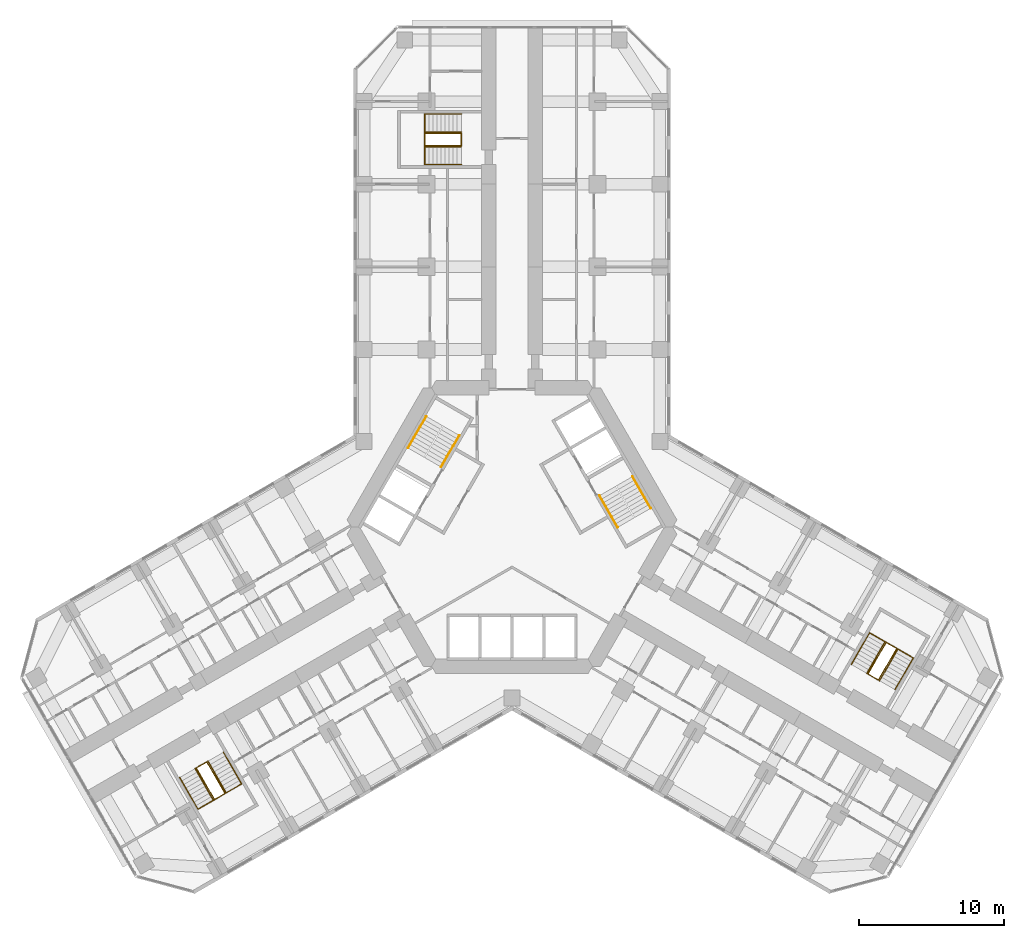
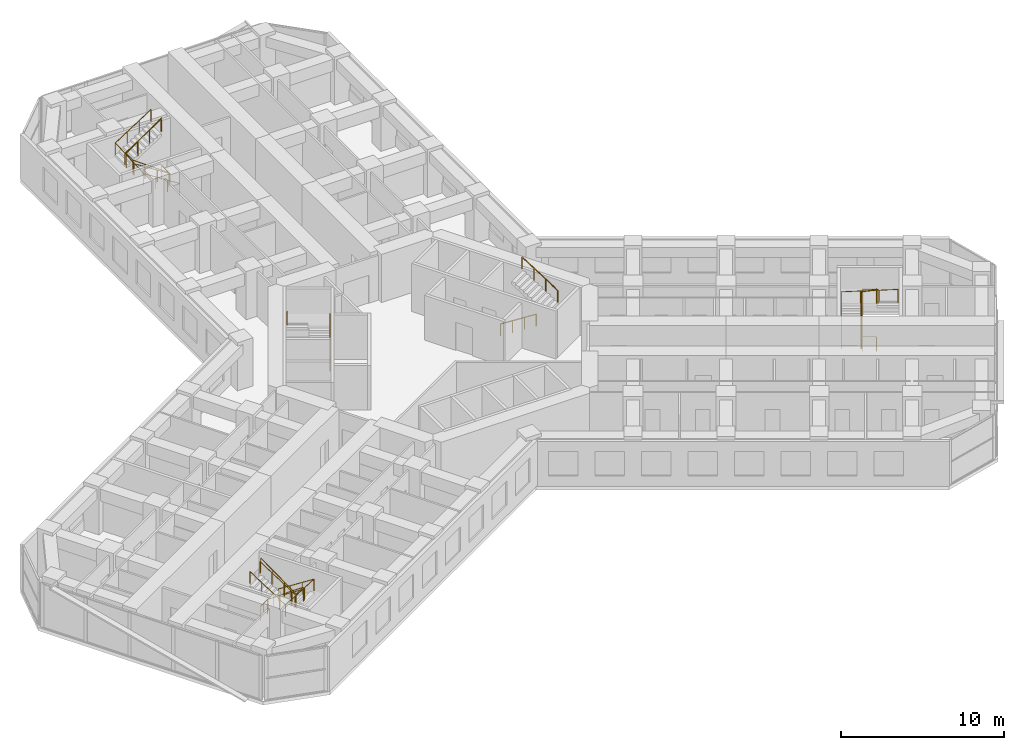
# One storey, part 18 of 18: 13 railings.
"""IFC4 building model written with IfcOpenShell, lengths in metres."""

from ifc_helpers import new_model, si_unit, direction, frame, origin, origin_2d, place, context, subcontext, project, spatial, circle, extrude, material, type_object, element, save


model = new_model("IFC4")

# Units and contexts
model_context = context("Model", 3, precision=1e-05, world=origin(), true_north=direction((0.0, 1.0)))
body_context = subcontext(model_context, "Body", "Model", "MODEL_VIEW")
ifc_project = project(units=[si_unit("LENGTHUNIT", "METRE"), si_unit("AREAUNIT", "SQUARE_METRE"), si_unit("VOLUMEUNIT", "CUBIC_METRE"), si_unit("PLANEANGLEUNIT", "RADIAN"), si_unit("MASSUNIT", "GRAM", prefix="KILO")], contexts=[model_context])

# Site, building, storey
site_placement = place(None, origin())
site = spatial("IfcSite", under=ifc_project, at=site_placement, CompositionType="ELEMENT")
building_placement = place(site_placement, origin())
building = spatial("IfcBuilding", under=site, at=building_placement, Name="Kosmar Iwan School Tower", CompositionType="ELEMENT")
storey_placement = place(building_placement, frame((0.0, 0.0, 25.199951171875)))
storey = spatial("IfcBuildingStorey", under=building, at=storey_placement, Name="L05", CompositionType="ELEMENT", Elevation=25.199951171875)

# Railings
ifc_material_1 = material(Name="Black steel", Category="steel")
railing_type_1 = type_object("IfcRailingType", Name="Stair handrail 900", PredefinedType="HANDRAIL", material=ifc_material_1)
railing_1_placement = place(storey_placement, frame((-4.89453125, 4.142333984375, 0.179931640625)))
element("IfcRailing", 1, at=railing_1_placement, inside=storey, type_object=railing_type_1, Name="Handrail ST2 flight 1", PredefinedType="HANDRAIL", context=body_context, shape_type="SweptSolid", body=[
    extrude(circle(Radius=0.02392578125, at=origin_2d()), frame((0.0, 0.0, 0.8759765625), z_axis=(0.420584145978, 0.728463801763, 0.540785970299), x_axis=(-0.866022637375, 0.500004791531, 0.0)), (0.0, 0.0, 1.0), 2.995849609375),
    extrude(circle(Radius=0.02099609375, at=origin_2d()), origin(), (0.0, 0.0, 1.0), 0.851806640625),
    extrude(circle(Radius=0.02099609375, at=origin_2d()), frame((0.419921875, 0.7275390625, 0.5400390625)), (0.0, 0.0, 1.0), 0.851806640625),
    extrude(circle(Radius=0.02099609375, at=origin_2d()), frame((0.840087890625, 1.454833984375, 1.080078125)), (0.0, 0.0, 1.0), 0.851806640625),
    extrude(circle(Radius=0.02099609375, at=origin_2d()), frame((1.260009765625, 2.182373046875, 1.6201171875)), (0.0, 0.0, 1.0), 0.851806640625),
])
railing_2_placement = place(storey_placement, frame((-5.912353515625, 7.6396484375, 1.97998046875)))
element("IfcRailing", 2, at=railing_2_placement, inside=storey, type_object=railing_type_1, Name="Handrail ST2 flight 2", PredefinedType="HANDRAIL", context=body_context, shape_type="SweptSolid", body=[
    extrude(circle(Radius=0.02392578125, at=origin_2d()), frame((0.0, 0.0, 0.8759765625), z_axis=(-0.420584145978, -0.728463801763, 0.540785970299), x_axis=(0.866022637375, -0.500004791531, 0.0)), (0.0, 0.0, 1.0), 2.995849609375),
    extrude(circle(Radius=0.02099609375, at=origin_2d()), origin(), (0.0, 0.0, 1.0), 0.851806640625),
    extrude(circle(Radius=0.02099609375, at=origin_2d()), frame((-0.419921875, -0.7275390625, 0.5400390625)), (0.0, 0.0, 1.0), 0.851806640625),
    extrude(circle(Radius=0.02099609375, at=origin_2d()), frame((-0.840087890625, -1.454833984375, 1.080078125)), (0.0, 0.0, 1.0), 0.851806640625),
    extrude(circle(Radius=0.02099609375, at=origin_2d()), frame((-1.260009765625, -2.182373046875, 1.6201171875)), (0.0, 0.0, 1.0), 0.851806640625),
])
railing_3_placement = place(storey_placement, frame((6.03466796875, 2.167724609375, 0.179931640625)))
element("IfcRailing", 3, at=railing_3_placement, inside=storey, type_object=railing_type_1, Name="Handrail ST1 flight 1", PredefinedType="HANDRAIL", context=body_context, shape_type="SweptSolid", body=[
    extrude(circle(Radius=0.02392578125, at=origin_2d()), frame((0.0, 0.0, 0.8759765625), z_axis=(0.420584145978, -0.728463801763, 0.540785970299), x_axis=(0.866022637375, 0.500004791531, 0.0)), (0.0, 0.0, 1.0), 2.995849609375),
    extrude(circle(Radius=0.02099609375, at=origin_2d()), origin(), (0.0, 0.0, 1.0), 0.851806640625),
    extrude(circle(Radius=0.02099609375, at=origin_2d()), frame((0.419921875, -0.7275390625, 0.5400390625)), (0.0, 0.0, 1.0), 0.851806640625),
    extrude(circle(Radius=0.02099609375, at=origin_2d()), frame((0.840087890625, -1.454833984375, 1.080078125)), (0.0, 0.0, 1.0), 0.851806640625),
    extrude(circle(Radius=0.02099609375, at=origin_2d()), frame((1.260009765625, -2.182373046875, 1.6201171875)), (0.0, 0.0, 1.0), 0.851806640625),
])
railing_4_placement = place(storey_placement, frame((9.572265625, 1.30029296875, 1.97998046875)))
element("IfcRailing", 4, at=railing_4_placement, inside=storey, type_object=railing_type_1, Name="Handrail ST1 flight 2", PredefinedType="HANDRAIL", context=body_context, shape_type="SweptSolid", body=[
    extrude(circle(Radius=0.02392578125, at=origin_2d()), frame((0.0, 0.0, 0.8759765625), z_axis=(-0.420584145978, 0.728463801763, 0.540785970299), x_axis=(-0.866022637375, -0.500004791531, 0.0)), (0.0, 0.0, 1.0), 2.995849609375),
    extrude(circle(Radius=0.02099609375, at=origin_2d()), origin(), (0.0, 0.0, 1.0), 0.851806640625),
    extrude(circle(Radius=0.02099609375, at=origin_2d()), frame((-0.419921875, 0.7275390625, 0.5400390625)), (0.0, 0.0, 1.0), 0.851806640625),
    extrude(circle(Radius=0.02099609375, at=origin_2d()), frame((-0.840087890625, 1.454833984375, 1.080078125)), (0.0, 0.0, 1.0), 0.851806640625),
    extrude(circle(Radius=0.02099609375, at=origin_2d()), frame((-1.260009765625, 2.182373046875, 1.6201171875)), (0.0, 0.0, 1.0), 0.851806640625),
])
railing_5_placement = place(storey_placement, frame((-3.5, 25.010009765625, 0.179931640625)))
element("IfcRailing", 5, at=railing_5_placement, inside=storey, type_object=railing_type_1, Name="Handrail stair WS1 L05 wall side", PredefinedType="HANDRAIL", context=body_context, shape_type="SweptSolid", body=[
    extrude(circle(Radius=0.02392578125, at=origin_2d()), frame((0.0, 0.0, 0.8759765625), z_axis=(-0.841162588446, 0.0, 0.540782303519), x_axis=(0.0, -1.0, 0.0)), (0.0, 0.0, 1.0), 2.995849609375),
    extrude(circle(Radius=0.02392578125, at=origin_2d()), frame((-2.52001953125, 0.0, 2.49609375), z_axis=(0.0, 0.998665981786, 0.051635809497), x_axis=(-1.0, 0.0, 0.0)), (0.0, 0.0, 1.0), 3.484619140625),
    extrude(circle(Radius=0.02392578125, at=origin_2d()), frame((-2.52001953125, 3.47998046875, 2.67578125), z_axis=(0.841162588446, 0.0, 0.540782303519), x_axis=(0.0, 1.0, 0.0)), (0.0, 0.0, 1.0), 2.995849609375),
    extrude(circle(Radius=0.02099609375, at=origin_2d()), origin(), (0.0, 0.0, 1.0), 0.851806640625),
    extrude(circle(Radius=0.02099609375, at=origin_2d()), frame((-0.840087890625, 0.0, 0.5400390625)), (0.0, 0.0, 1.0), 0.851806640625),
    extrude(circle(Radius=0.02099609375, at=origin_2d()), frame((-1.679931640625, 0.0, 1.080078125)), (0.0, 0.0, 1.0), 0.851806640625),
    extrude(circle(Radius=0.02099609375, at=origin_2d()), frame((-2.52001953125, 0.0, 1.6201171875)), (0.0, 0.0, 1.0), 0.851806640625),
    extrude(circle(Radius=0.02099609375, at=origin_2d()), frame((-2.52001953125, 1.159912109375, 1.68017578125)), (0.0, 0.0, 1.0), 0.851806640625),
    extrude(circle(Radius=0.02099609375, at=origin_2d()), frame((-2.52001953125, 2.320068359375, 1.739990234375)), (0.0, 0.0, 1.0), 0.851806640625),
    extrude(circle(Radius=0.02099609375, at=origin_2d()), frame((-2.52001953125, 3.47998046875, 1.800048828125)), (0.0, 0.0, 1.0), 0.851806640625),
    extrude(circle(Radius=0.02099609375, at=origin_2d()), frame((-1.679931640625, 3.47998046875, 2.340087890625)), (0.0, 0.0, 1.0), 0.851806640625),
    extrude(circle(Radius=0.02099609375, at=origin_2d()), frame((-0.840087890625, 3.47998046875, 2.880126953125)), (0.0, 0.0, 1.0), 0.851806640625),
    extrude(circle(Radius=0.02099609375, at=origin_2d()), frame((0.0, 3.47998046875, 3.420166015625)), (0.0, 0.0, 1.0), 0.851806640625),
])
railing_6_placement = place(storey_placement, frame((-3.5, 26.239990234375, 0.179931640625)))
element("IfcRailing", 6, at=railing_6_placement, inside=storey, type_object=railing_type_1, Name="Handrail stair WS1 L05 well side", PredefinedType="HANDRAIL", context=body_context, shape_type="SweptSolid", body=[
    extrude(circle(Radius=0.02392578125, at=origin_2d()), frame((0.0, 0.0, 0.8759765625), z_axis=(-0.841162588446, 0.0, 0.540782303519), x_axis=(0.0, -1.0, 0.0)), (0.0, 0.0, 1.0), 2.995849609375),
    extrude(circle(Radius=0.02392578125, at=origin_2d()), frame((-2.52001953125, 0.0, 2.49609375), z_axis=(0.0, 0.984795421109, 0.173718100851), x_axis=(-1.0, 0.0, 0.0)), (0.0, 0.0, 1.0), 1.035888671875),
    extrude(circle(Radius=0.02392578125, at=origin_2d()), frame((-2.52001953125, 1.02001953125, 2.67578125), z_axis=(0.841162588446, 0.0, 0.540782303519), x_axis=(0.0, 1.0, 0.0)), (0.0, 0.0, 1.0), 2.995849609375),
    extrude(circle(Radius=0.02099609375, at=origin_2d()), origin(), (0.0, 0.0, 1.0), 0.851806640625),
    extrude(circle(Radius=0.02099609375, at=origin_2d()), frame((-0.840087890625, 0.0, 0.5400390625)), (0.0, 0.0, 1.0), 0.851806640625),
    extrude(circle(Radius=0.02099609375, at=origin_2d()), frame((-1.679931640625, 0.0, 1.080078125)), (0.0, 0.0, 1.0), 0.851806640625),
    extrude(circle(Radius=0.02099609375, at=origin_2d()), frame((-2.52001953125, 0.0, 1.6201171875)), (0.0, 0.0, 1.0), 0.851806640625),
    extrude(circle(Radius=0.02099609375, at=origin_2d()), frame((-2.52001953125, 1.02001953125, 1.800048828125)), (0.0, 0.0, 1.0), 0.851806640625),
    extrude(circle(Radius=0.02099609375, at=origin_2d()), frame((-1.679931640625, 1.02001953125, 2.340087890625)), (0.0, 0.0, 1.0), 0.851806640625),
    extrude(circle(Radius=0.02099609375, at=origin_2d()), frame((-0.840087890625, 1.02001953125, 2.880126953125)), (0.0, 0.0, 1.0), 0.851806640625),
    extrude(circle(Radius=0.02099609375, at=origin_2d()), frame((0.0, 1.02001953125, 3.420166015625)), (0.0, 0.0, 1.0), 0.851806640625),
])
railing_7_placement = place(storey_placement, frame((-19.9091796875, -15.5361328125, 0.179931640625)))
element("IfcRailing", 7, at=railing_7_placement, inside=storey, type_object=railing_type_1, Name="Handrail stair WS2 L05 wall side", PredefinedType="HANDRAIL", context=body_context, shape_type="SweptSolid", body=[
    extrude(circle(Radius=0.02392578125, at=origin_2d()), frame((0.0, 0.0, 0.8759765625), z_axis=(0.420517065106, -0.728488768407, 0.540804504659), x_axis=(0.866064587494, 0.499932125682, 0.0)), (0.0, 0.0, 1.0), 2.995849609375),
    extrude(circle(Radius=0.02392578125, at=origin_2d()), frame((1.259765625, -2.182373046875, 2.49609375), z_axis=(-0.864864352349, -0.499342858003, 0.051636829851), x_axis=(0.500009906705, -0.86601968407, 0.0)), (0.0, 0.0, 1.0), 3.484619140625),
    extrude(circle(Radius=0.02392578125, at=origin_2d()), frame((-1.75390625, -3.92236328125, 2.67578125), z_axis=(-0.420584145978, 0.728463801763, 0.540785970299), x_axis=(-0.866022637375, -0.500004791531, 0.0)), (0.0, 0.0, 1.0), 2.995849609375),
    extrude(circle(Radius=0.02099609375, at=origin_2d()), origin(), (0.0, 0.0, 1.0), 0.851806640625),
    extrude(circle(Radius=0.02099609375, at=origin_2d()), frame((0.419921875, -0.7275390625, 0.5400390625)), (0.0, 0.0, 1.0), 0.851806640625),
    extrude(circle(Radius=0.02099609375, at=origin_2d()), frame((0.83984375, -1.454833984375, 1.080078125)), (0.0, 0.0, 1.0), 0.851806640625),
    extrude(circle(Radius=0.02099609375, at=origin_2d()), frame((1.259765625, -2.182373046875, 1.6201171875)), (0.0, 0.0, 1.0), 0.851806640625),
    extrude(circle(Radius=0.02099609375, at=origin_2d()), frame((0.255126953125, -2.762451171875, 1.68017578125)), (0.0, 0.0, 1.0), 0.851806640625),
    extrude(circle(Radius=0.02099609375, at=origin_2d()), frame((-0.749267578125, -3.34228515625, 1.739990234375)), (0.0, 0.0, 1.0), 0.851806640625),
    extrude(circle(Radius=0.02099609375, at=origin_2d()), frame((-1.75390625, -3.92236328125, 1.800048828125)), (0.0, 0.0, 1.0), 0.851806640625),
    extrude(circle(Radius=0.02099609375, at=origin_2d()), frame((-2.173828125, -3.19482421875, 2.340087890625)), (0.0, 0.0, 1.0), 0.851806640625),
    extrude(circle(Radius=0.02099609375, at=origin_2d()), frame((-2.593994140625, -2.467529296875, 2.880126953125)), (0.0, 0.0, 1.0), 0.851806640625),
    extrude(circle(Radius=0.02099609375, at=origin_2d()), frame((-3.013916015625, -1.739990234375, 3.420166015625)), (0.0, 0.0, 1.0), 0.851806640625),
])
railing_8_placement = place(storey_placement, frame((-20.974609375, -16.151123046875, 0.179931640625)))
element("IfcRailing", 8, at=railing_8_placement, inside=storey, type_object=railing_type_1, Name="Handrail stair WS2 L05 well side", PredefinedType="HANDRAIL", context=body_context, shape_type="SweptSolid", body=[
    extrude(circle(Radius=0.02392578125, at=origin_2d()), frame((0.0, 0.0, 0.8759765625), z_axis=(0.420584145978, -0.728463801763, 0.540785970299), x_axis=(0.866022637375, 0.500004791531, 0.0)), (0.0, 0.0, 1.0), 2.995849609375),
    extrude(circle(Radius=0.02392578125, at=origin_2d()), frame((1.260009765625, -2.182373046875, 2.49609375), z_axis=(-0.852841519511, -0.492422867401, 0.173726976197), x_axis=(0.500026340207, -0.866010195725, 0.0)), (0.0, 0.0, 1.0), 1.03564453125),
    extrude(circle(Radius=0.02392578125, at=origin_2d()), frame((0.376708984375, -2.6923828125, 2.67578125), z_axis=(-0.420584145978, 0.728463801763, 0.540785970299), x_axis=(-0.866022637375, -0.500004791531, 0.0)), (0.0, 0.0, 1.0), 2.995849609375),
    extrude(circle(Radius=0.02099609375, at=origin_2d()), origin(), (0.0, 0.0, 1.0), 0.851806640625),
    extrude(circle(Radius=0.02099609375, at=origin_2d()), frame((0.419921875, -0.7275390625, 0.5400390625)), (0.0, 0.0, 1.0), 0.851806640625),
    extrude(circle(Radius=0.02099609375, at=origin_2d()), frame((0.840087890625, -1.454833984375, 1.080078125)), (0.0, 0.0, 1.0), 0.851806640625),
    extrude(circle(Radius=0.02099609375, at=origin_2d()), frame((1.260009765625, -2.182373046875, 1.6201171875)), (0.0, 0.0, 1.0), 0.851806640625),
    extrude(circle(Radius=0.02099609375, at=origin_2d()), frame((0.376708984375, -2.6923828125, 1.800048828125)), (0.0, 0.0, 1.0), 0.851806640625),
    extrude(circle(Radius=0.02099609375, at=origin_2d()), frame((-0.043212890625, -1.96484375, 2.340087890625)), (0.0, 0.0, 1.0), 0.851806640625),
    extrude(circle(Radius=0.02099609375, at=origin_2d()), frame((-0.46337890625, -1.237548828125, 2.880126953125)), (0.0, 0.0, 1.0), 0.851806640625),
    extrude(circle(Radius=0.02099609375, at=origin_2d()), frame((-0.88330078125, -0.510009765625, 3.420166015625)), (0.0, 0.0, 1.0), 0.851806640625),
])
railing_9_placement = place(storey_placement, frame((23.4091796875, -9.473876953125, 0.179931640625)))
element("IfcRailing", 9, at=railing_9_placement, inside=storey, type_object=railing_type_1, Name="Handrail stair WS3 L05 wall side", PredefinedType="HANDRAIL", context=body_context, shape_type="SweptSolid", body=[
    extrude(circle(Radius=0.02392578125, at=origin_2d()), frame((0.0, 0.0, 0.8759765625), z_axis=(0.420584145978, 0.728463801763, 0.540785970299), x_axis=(-0.866022637375, 0.500004791531, 0.0)), (0.0, 0.0, 1.0), 2.995849609375),
    extrude(circle(Radius=0.02392578125, at=origin_2d()), frame((1.260009765625, 2.182373046875, 2.49609375), z_axis=(0.864882007433, -0.499312601618, 0.051633701051), x_axis=(0.499979528911, 0.866037222451, 0.0)), (0.0, 0.0, 1.0), 3.48486328125),
    extrude(circle(Radius=0.02392578125, at=origin_2d()), frame((4.27392578125, 0.4423828125, 2.67578125), z_axis=(-0.420584145978, -0.728463801763, 0.540785970299), x_axis=(0.866022637375, -0.500004791531, 0.0)), (0.0, 0.0, 1.0), 2.995849609375),
    extrude(circle(Radius=0.02099609375, at=origin_2d()), origin(), (0.0, 0.0, 1.0), 0.851806640625),
    extrude(circle(Radius=0.02099609375, at=origin_2d()), frame((0.419921875, 0.7275390625, 0.5400390625)), (0.0, 0.0, 1.0), 0.851806640625),
    extrude(circle(Radius=0.02099609375, at=origin_2d()), frame((0.840087890625, 1.454833984375, 1.080078125)), (0.0, 0.0, 1.0), 0.851806640625),
    extrude(circle(Radius=0.02099609375, at=origin_2d()), frame((1.260009765625, 2.182373046875, 1.6201171875)), (0.0, 0.0, 1.0), 0.851806640625),
    extrude(circle(Radius=0.02099609375, at=origin_2d()), frame((2.2646484375, 1.602294921875, 1.68017578125)), (0.0, 0.0, 1.0), 0.851806640625),
    extrude(circle(Radius=0.02099609375, at=origin_2d()), frame((3.269287109375, 1.0224609375, 1.739990234375)), (0.0, 0.0, 1.0), 0.851806640625),
    extrude(circle(Radius=0.02099609375, at=origin_2d()), frame((4.27392578125, 0.4423828125, 1.800048828125)), (0.0, 0.0, 1.0), 0.851806640625),
    extrude(circle(Radius=0.02099609375, at=origin_2d()), frame((3.85400390625, -0.28515625, 2.340087890625)), (0.0, 0.0, 1.0), 0.851806640625),
    extrude(circle(Radius=0.02099609375, at=origin_2d()), frame((3.433837890625, -1.012451171875, 2.880126953125)), (0.0, 0.0, 1.0), 0.851806640625),
    extrude(circle(Radius=0.02099609375, at=origin_2d()), frame((3.013916015625, -1.739990234375, 3.420166015625)), (0.0, 0.0, 1.0), 0.851806640625),
])
railing_10_placement = place(storey_placement, frame((24.474609375, -10.0888671875, 0.179931640625)))
element("IfcRailing", 10, at=railing_10_placement, inside=storey, type_object=railing_type_1, Name="Handrail stair WS3 L05 well side", PredefinedType="HANDRAIL", context=body_context, shape_type="SweptSolid", body=[
    extrude(circle(Radius=0.02392578125, at=origin_2d()), frame((0.0, 0.0, 0.8759765625), z_axis=(0.420584145978, 0.728463801763, 0.540785970299), x_axis=(-0.866022637375, 0.500004791531, 0.0)), (0.0, 0.0, 1.0), 2.995849609375),
    extrude(circle(Radius=0.02392578125, at=origin_2d()), frame((1.260009765625, 2.182373046875, 2.49609375), z_axis=(0.852841519511, -0.492422867401, 0.173726976197), x_axis=(0.500026340207, 0.866010195725, 0.0)), (0.0, 0.0, 1.0), 1.03564453125),
    extrude(circle(Radius=0.02392578125, at=origin_2d()), frame((2.143310546875, 1.67236328125, 2.67578125), z_axis=(-0.420584145978, -0.728463801763, 0.540785970299), x_axis=(0.866022637375, -0.500004791531, 0.0)), (0.0, 0.0, 1.0), 2.995849609375),
    extrude(circle(Radius=0.02099609375, at=origin_2d()), origin(), (0.0, 0.0, 1.0), 0.851806640625),
    extrude(circle(Radius=0.02099609375, at=origin_2d()), frame((0.419921875, 0.7275390625, 0.5400390625)), (0.0, 0.0, 1.0), 0.851806640625),
    extrude(circle(Radius=0.02099609375, at=origin_2d()), frame((0.840087890625, 1.454833984375, 1.080078125)), (0.0, 0.0, 1.0), 0.851806640625),
    extrude(circle(Radius=0.02099609375, at=origin_2d()), frame((1.260009765625, 2.182373046875, 1.6201171875)), (0.0, 0.0, 1.0), 0.851806640625),
    extrude(circle(Radius=0.02099609375, at=origin_2d()), frame((2.143310546875, 1.67236328125, 1.800048828125)), (0.0, 0.0, 1.0), 0.851806640625),
    extrude(circle(Radius=0.02099609375, at=origin_2d()), frame((1.723388671875, 0.94482421875, 2.340087890625)), (0.0, 0.0, 1.0), 0.851806640625),
    extrude(circle(Radius=0.02099609375, at=origin_2d()), frame((1.30322265625, 0.217529296875, 2.880126953125)), (0.0, 0.0, 1.0), 0.851806640625),
    extrude(circle(Radius=0.02099609375, at=origin_2d()), frame((0.88330078125, -0.510009765625, 3.420166015625)), (0.0, 0.0, 1.0), 0.851806640625),
])
ifc_material_2 = material(Name="Black steel", Category="steel")
railing_type_2 = type_object("IfcRailingType", Name="Stair well guard 1100", PredefinedType="GUARDRAIL", material=ifc_material_2)
railing_11_placement = place(storey_placement, frame((-3.5, 27.169921875, 0.0)))
element("IfcRailing", 11, at=railing_11_placement, inside=storey, type_object=railing_type_2, Name="Stair WS1 L05 well guard", PredefinedType="GUARDRAIL", context=body_context, shape_type="SweptSolid", body=[
    extrude(circle(Radius=0.02392578125, at=origin_2d()), frame((0.0, 0.0, 1.076171875), z_axis=(0.0, -1.0, 0.0), x_axis=(1.0, 0.0, 0.0)), (0.0, 0.0, 1.0), 0.83984375),
    extrude(circle(Radius=0.02392578125, at=origin_2d()), frame((0.0, -0.83984375, 1.076171875), z_axis=(-0.813728144527, 0.0, 0.581245650998), x_axis=(0.0, -1.0, 0.0)), (0.0, 0.0, 1.0), 3.096923828125),
    extrude(circle(Radius=0.02392578125, at=origin_2d()), frame((-2.52001953125, -0.83984375, 2.8759765625), z_axis=(0.0, 1.0, 0.0), x_axis=(-1.0, 0.0, 0.0)), (0.0, 0.0, 1.0), 0.83984375),
    extrude(circle(Radius=0.02392578125, at=origin_2d()), frame((-2.52001953125, 0.0, 2.8759765625), z_axis=(0.813728144527, 0.0, 0.581245650998), x_axis=(0.0, 1.0, 0.0)), (0.0, 0.0, 1.0), 3.096923828125),
    extrude(circle(Radius=0.02099609375, at=origin_2d()), origin(), (0.0, 0.0, 1.0), 1.052001953125),
    extrude(circle(Radius=0.02099609375, at=origin_2d()), frame((0.0, -0.83984375, 0.0)), (0.0, 0.0, 1.0), 1.052001953125),
    extrude(circle(Radius=0.02099609375, at=origin_2d()), frame((-0.840087890625, -0.83984375, 0.60009765625)), (0.0, 0.0, 1.0), 1.052001953125),
    extrude(circle(Radius=0.02099609375, at=origin_2d()), frame((-1.679931640625, -0.83984375, 1.199951171875)), (0.0, 0.0, 1.0), 1.052001953125),
    extrude(circle(Radius=0.02099609375, at=origin_2d()), frame((-2.52001953125, -0.83984375, 1.800048828125)), (0.0, 0.0, 1.0), 1.052001953125),
    extrude(circle(Radius=0.02099609375, at=origin_2d()), frame((-2.52001953125, 0.0, 1.800048828125)), (0.0, 0.0, 1.0), 1.052001953125),
    extrude(circle(Radius=0.02099609375, at=origin_2d()), frame((-1.679931640625, 0.0, 2.400146484375)), (0.0, 0.0, 1.0), 1.052001953125),
    extrude(circle(Radius=0.02099609375, at=origin_2d()), frame((-0.840087890625, 0.0, 3.0)), (0.0, 0.0, 1.0), 1.052001953125),
    extrude(circle(Radius=0.02099609375, at=origin_2d()), frame((0.0, 0.0, 3.60009765625)), (0.0, 0.0, 1.0), 1.052001953125),
])
railing_12_placement = place(storey_placement, frame((-21.780029296875, -16.6162109375, 0.0)))
element("IfcRailing", 12, at=railing_12_placement, inside=storey, type_object=railing_type_2, Name="Stair WS2 L05 well guard", PredefinedType="GUARDRAIL", context=body_context, shape_type="SweptSolid", body=[
    extrude(circle(Radius=0.02392578125, at=origin_2d()), frame((0.0, 0.0, 1.076171875), z_axis=(0.865962960534, 0.500108139288, 0.0), x_axis=(-0.500108139288, 0.865962960534, 0.0)), (0.0, 0.0, 1.0), 0.840087890625),
    extrude(circle(Radius=0.02392578125, at=origin_2d()), frame((0.7275390625, 0.420166015625, 1.076171875), z_axis=(0.40686665399, -0.704704712268, 0.58124933925), x_axis=(0.866022637375, 0.500004791531, 0.0)), (0.0, 0.0, 1.0), 3.096923828125),
    extrude(circle(Radius=0.02392578125, at=origin_2d()), frame((1.987548828125, -1.76220703125, 2.8759765625), z_axis=(-0.865962960534, -0.500108139288, 0.0), x_axis=(0.500108139288, -0.865962960534, 0.0)), (0.0, 0.0, 1.0), 0.840087890625),
    extrude(circle(Radius=0.02392578125, at=origin_2d()), frame((1.260009765625, -2.182373046875, 2.8759765625), z_axis=(-0.40686665399, 0.704704712268, 0.58124933925), x_axis=(-0.866022637375, -0.500004791531, 0.0)), (0.0, 0.0, 1.0), 3.096923828125),
    extrude(circle(Radius=0.02099609375, at=origin_2d()), origin(), (0.0, 0.0, 1.0), 1.052001953125),
    extrude(circle(Radius=0.02099609375, at=origin_2d()), frame((0.7275390625, 0.420166015625, 0.0)), (0.0, 0.0, 1.0), 1.052001953125),
    extrude(circle(Radius=0.02099609375, at=origin_2d()), frame((1.1474609375, -0.307373046875, 0.60009765625)), (0.0, 0.0, 1.0), 1.052001953125),
    extrude(circle(Radius=0.02099609375, at=origin_2d()), frame((1.567626953125, -1.03466796875, 1.199951171875)), (0.0, 0.0, 1.0), 1.052001953125),
    extrude(circle(Radius=0.02099609375, at=origin_2d()), frame((1.987548828125, -1.76220703125, 1.800048828125)), (0.0, 0.0, 1.0), 1.052001953125),
    extrude(circle(Radius=0.02099609375, at=origin_2d()), frame((1.260009765625, -2.182373046875, 1.800048828125)), (0.0, 0.0, 1.0), 1.052001953125),
    extrude(circle(Radius=0.02099609375, at=origin_2d()), frame((0.840087890625, -1.454833984375, 2.400146484375)), (0.0, 0.0, 1.0), 1.052001953125),
    extrude(circle(Radius=0.02099609375, at=origin_2d()), frame((0.419921875, -0.7275390625, 3.0)), (0.0, 0.0, 1.0), 1.052001953125),
    extrude(circle(Radius=0.02099609375, at=origin_2d()), frame((0.0, 0.0, 3.60009765625)), (0.0, 0.0, 1.0), 1.052001953125),
])
railing_13_placement = place(storey_placement, frame((25.280029296875, -10.553955078125, 0.0)))
element("IfcRailing", 13, at=railing_13_placement, inside=storey, type_object=railing_type_2, Name="Stair WS3 L05 well guard", PredefinedType="GUARDRAIL", context=body_context, shape_type="SweptSolid", body=[
    extrude(circle(Radius=0.02392578125, at=origin_2d()), frame((0.0, 0.0, 1.076171875), z_axis=(-0.865962960534, 0.500108139288, 0.0), x_axis=(-0.500108139288, -0.865962960534, 0.0)), (0.0, 0.0, 1.0), 0.840087890625),
    extrude(circle(Radius=0.02392578125, at=origin_2d()), frame((-0.7275390625, 0.420166015625, 1.076171875), z_axis=(0.40686665399, 0.704704712268, 0.58124933925), x_axis=(-0.866022637375, 0.500004791531, 0.0)), (0.0, 0.0, 1.0), 3.096923828125),
    extrude(circle(Radius=0.02392578125, at=origin_2d()), frame((0.532470703125, 2.6025390625, 2.8759765625), z_axis=(0.865890253765, -0.500234013672, 0.0), x_axis=(0.500234013672, 0.865890253765, 0.0)), (0.0, 0.0, 1.0), 0.83984375),
    extrude(circle(Radius=0.02392578125, at=origin_2d()), frame((1.259765625, 2.182373046875, 2.8759765625), z_axis=(-0.406800866334, -0.70472731476, 0.58126798207), x_axis=(0.866064587494, -0.499932125682, 0.0)), (0.0, 0.0, 1.0), 3.0966796875),
    extrude(circle(Radius=0.02099609375, at=origin_2d()), origin(), (0.0, 0.0, 1.0), 1.052001953125),
    extrude(circle(Radius=0.02099609375, at=origin_2d()), frame((-0.7275390625, 0.420166015625, 0.0)), (0.0, 0.0, 1.0), 1.052001953125),
    extrude(circle(Radius=0.02099609375, at=origin_2d()), frame((-0.3076171875, 1.147705078125, 0.60009765625)), (0.0, 0.0, 1.0), 1.052001953125),
    extrude(circle(Radius=0.02099609375, at=origin_2d()), frame((0.112548828125, 1.875, 1.199951171875)), (0.0, 0.0, 1.0), 1.052001953125),
    extrude(circle(Radius=0.02099609375, at=origin_2d()), frame((0.532470703125, 2.6025390625, 1.800048828125)), (0.0, 0.0, 1.0), 1.052001953125),
    extrude(circle(Radius=0.02099609375, at=origin_2d()), frame((1.259765625, 2.182373046875, 1.800048828125)), (0.0, 0.0, 1.0), 1.052001953125),
    extrude(circle(Radius=0.02099609375, at=origin_2d()), frame((0.83984375, 1.454833984375, 2.400146484375)), (0.0, 0.0, 1.0), 1.052001953125),
    extrude(circle(Radius=0.02099609375, at=origin_2d()), frame((0.419921875, 0.7275390625, 3.0)), (0.0, 0.0, 1.0), 1.052001953125),
    extrude(circle(Radius=0.02099609375, at=origin_2d()), frame((0.0, 0.0, 3.60009765625)), (0.0, 0.0, 1.0), 1.052001953125),
])

save(model, "model.ifc")
